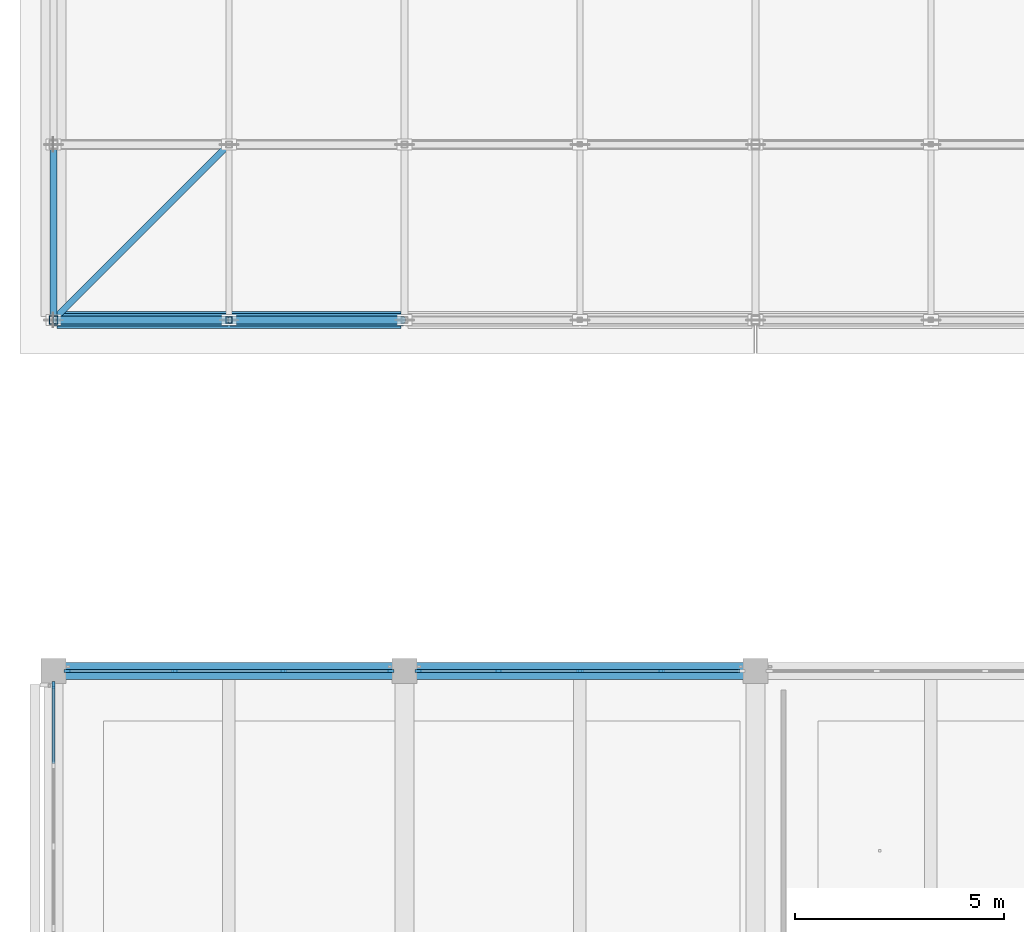
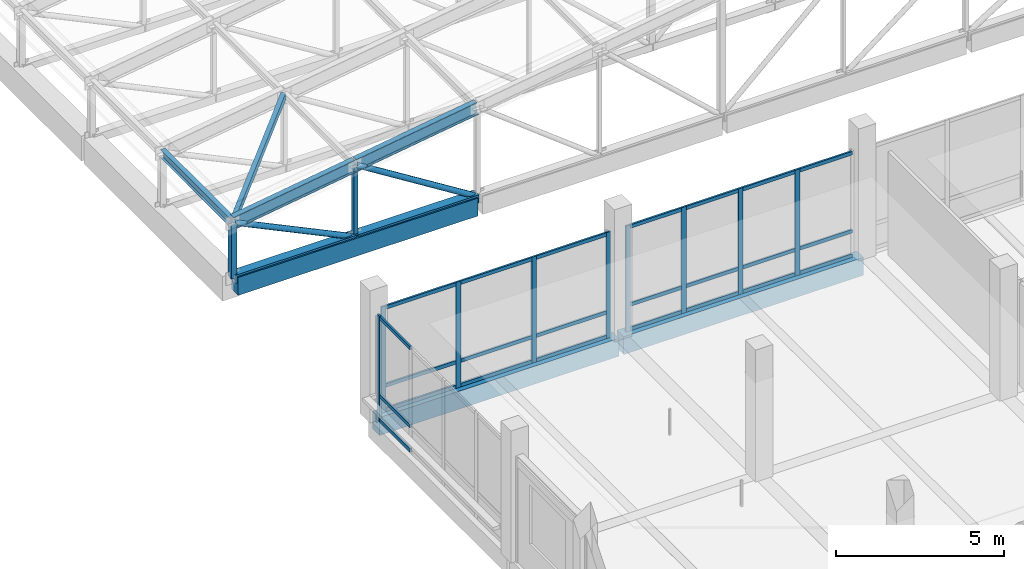
# One storey, part 23 of 122: 43 members, 3 beams, 3 elements without a shape of their own.
"""IFC4 building model written with IfcOpenShell, lengths in metres."""

from ifc_helpers import new_model, si_unit, direction, frame, origin, origin_2d, place, context, subcontext, project, spatial, rectangle, hollow_rectangle, hollow_circle, i_section, extrude, material, layer, layer_set, material_profile, profile_set, type_object, element, aggregate, save


model = new_model("IFC4")

# Units and contexts
model_context = context("Model", 3, precision=1e-05, world=origin(), true_north=direction((0.0, 1.0)))
body_context = subcontext(model_context, "Body", "Model", "MODEL_VIEW")
ifc_project = project(units=[si_unit("LENGTHUNIT", "METRE"), si_unit("AREAUNIT", "SQUARE_METRE"), si_unit("VOLUMEUNIT", "CUBIC_METRE"), si_unit("PLANEANGLEUNIT", "RADIAN"), si_unit("MASSUNIT", "GRAM", prefix="KILO")], contexts=[model_context])

# Site, building, storey
site_placement = place(None, origin())
site = spatial("IfcSite", under=ifc_project, at=site_placement, CompositionType="ELEMENT")
building_placement = place(site_placement, origin())
building = spatial("IfcBuilding", under=site, at=building_placement, Name="Telukmera Botanical Conservatory", CompositionType="ELEMENT")
storey_placement = place(building_placement, frame((0.0, 0.0, 10.199951171875)))
storey = spatial("IfcBuildingStorey", under=building, at=storey_placement, Name="L02", CompositionType="ELEMENT", Elevation=10.199951171875)

# Beams
ifc_material_1 = material(Name="Concrete C40/50", Category="concrete")
ifc_material_profile_1 = material_profile(ifc_material_1, rectangle(XDim=0.39990234375, YDim=0.64990234375, at=origin_2d()), Name="RC 400x650")
ifc_profile_set_1 = profile_set([ifc_material_profile_1], Name="Concrete C40/50")
beam_type = type_object("IfcBeamType", Name="Beam_B8", PredefinedType="BEAM", material=ifc_profile_set_1)
beam_1_placement = place(storey_placement, frame((8.47998046875, 74.800048828125, -0.324951171875), z_axis=(1.0, 0.0, 0.0), x_axis=(0.0, 1.0, 0.0)))
element("IfcBeam", 1, at=beam_1_placement, inside=storey, type_object=beam_type, Name="Visitor Wing Grid Beam L02", PredefinedType="BEAM", context=body_context, shape_type="SweptSolid", body=[
    extrude(rectangle(XDim=0.39990234375, YDim=0.64990234375, at=origin_2d()), origin(), (0.0, 0.0, 1.0), 8.239990234375),
])
beam_2_placement = place(storey_placement, frame((16.8798828125, 74.800048828125, -0.324951171875), z_axis=(1.0, 0.0, 0.0), x_axis=(0.0, 1.0, 0.0)))
element("IfcBeam", 2, at=beam_2_placement, inside=storey, type_object=beam_type, Name="Visitor Wing Grid Beam L02", PredefinedType="BEAM", context=body_context, shape_type="SweptSolid", body=[
    extrude(rectangle(XDim=0.39990234375, YDim=0.64990234375, at=origin_2d()), origin(), (0.0, 0.0, 1.0), 8.240234375),
])
beam_3_placement = place(storey_placement, frame((8.47998046875, 83.199951171875, -0.324951171875), z_axis=(1.0, 0.0, 0.0), x_axis=(0.0, 1.0, 0.0)))
element("IfcBeam", 3, at=beam_3_placement, inside=storey, type_object=beam_type, Name="Auditorium Frame Beam beam:V2:L02:port_x:832:84", PredefinedType="BEAM", context=body_context, shape_type="SweptSolid", body=[
    extrude(rectangle(XDim=0.39990234375, YDim=0.64990234375, at=origin_2d()), origin(), (0.0, 0.0, 1.0), 8.239990234375),
])

# Curtain wall, members
ifc_material_2 = material(Name="Anodised aluminium 6063-T6", Category="aluminium")
ifc_layer_1 = layer(ifc_material_2, 0.179931640625)
ifc_layer_set_1 = layer_set([ifc_layer_1], Name="Anodised aluminium 6063-T6")
curtain_wall_type_1 = type_object("IfcCurtainWallType", Name="Visitor Gallery Second Floor Curtain Wall 2400 Mod", PredefinedType="USERDEFINED", material=ifc_layer_set_1)
curtain_wall_1_placement = place(storey_placement, origin())
curtain_wall_1 = element("IfcCurtainWall", 4, at=curtain_wall_1_placement, inside=storey, type_object=curtain_wall_type_1, Name="Unitised Curtain Wall CW09 V3:L02:N1", ObjectType="UNITISED CURTAIN WALL", PredefinedType="USERDEFINED")
ifc_material_profile_2 = material_profile(ifc_material_2, rectangle(XDim=0.06494140625, YDim=0.159912109375, at=origin_2d()), Name="ALU MULL 65x160")
ifc_profile_set_2 = profile_set([ifc_material_profile_2], Name="Anodised aluminium 6063-T6")
member_type_1 = type_object("IfcMemberType", Name="Curtain Wall Extruded Mullion 65x160", PredefinedType="MULLION", material=ifc_profile_set_2)
member_1_placement = place(storey_placement, frame((8.734619140625, 74.800048828125, 0.0), z_axis=(0.0, 0.0, 1.0), x_axis=(0.0, 1.0, 0.0)))
member_1 = element("IfcMember", 5, at=member_1_placement, type_object=member_type_1, Name="CW09 mullion 1", PredefinedType="MULLION", context=body_context, shape_type="SweptSolid", body=[
    extrude(rectangle(XDim=0.06494140625, YDim=0.159912109375, at=origin_2d()), origin(), (0.0, 0.0, 1.0), 3.85009765625),
])
member_2_placement = place(storey_placement, frame((11.30078125, 74.800048828125, 0.0), z_axis=(0.0, 0.0, 1.0), x_axis=(0.0, 1.0, 0.0)))
member_2 = element("IfcMember", 6, at=member_2_placement, type_object=member_type_1, Name="CW09 mullion 2", PredefinedType="MULLION", context=body_context, shape_type="SweptSolid", body=[
    extrude(rectangle(XDim=0.06494140625, YDim=0.159912109375, at=origin_2d()), origin(), (0.0, 0.0, 1.0), 3.85009765625),
])
member_3_placement = place(storey_placement, frame((13.8994140625, 74.800048828125, 0.0), z_axis=(0.0, 0.0, 1.0), x_axis=(0.0, 1.0, 0.0)))
member_3 = element("IfcMember", 7, at=member_3_placement, type_object=member_type_1, Name="CW09 mullion 3", PredefinedType="MULLION", context=body_context, shape_type="SweptSolid", body=[
    extrude(rectangle(XDim=0.06494140625, YDim=0.159912109375, at=origin_2d()), origin(), (0.0, 0.0, 1.0), 3.85009765625),
])
member_4_placement = place(storey_placement, frame((16.465576171875, 74.800048828125, 0.0), z_axis=(0.0, 0.0, 1.0), x_axis=(0.0, 1.0, 0.0)))
member_4 = element("IfcMember", 8, at=member_4_placement, type_object=member_type_1, Name="CW09 mullion 4", PredefinedType="MULLION", context=body_context, shape_type="SweptSolid", body=[
    extrude(rectangle(XDim=0.06494140625, YDim=0.159912109375, at=origin_2d()), origin(), (0.0, 0.0, 1.0), 3.85009765625),
])

ifc_layer_2 = layer(ifc_material_2, 0.179931640625)
ifc_layer_set_2 = layer_set([ifc_layer_2], Name="Anodised aluminium 6063-T6")
curtain_wall_type_2 = type_object("IfcCurtainWallType", Name="Visitor Gallery First Floor Curtain Wall 1800 Mod", PredefinedType="USERDEFINED", material=ifc_layer_set_2)
curtain_wall_2_placement = place(storey_placement, origin())
curtain_wall_2 = element("IfcCurtainWall", 9, at=curtain_wall_2_placement, inside=storey, type_object=curtain_wall_type_2, Name="Unitised Curtain Wall CW08 V3:L02:N2", ObjectType="UNITISED CURTAIN WALL", PredefinedType="USERDEFINED")
member_5_placement = place(storey_placement, frame((17.134521484375, 74.800048828125, 0.0), z_axis=(0.0, 0.0, 1.0), x_axis=(0.0, 1.0, 0.0)))
member_5 = element("IfcMember", 10, at=member_5_placement, type_object=member_type_1, Name="CW08 mullion 1", PredefinedType="MULLION", context=body_context, shape_type="SweptSolid", body=[
    extrude(rectangle(XDim=0.06494140625, YDim=0.159912109375, at=origin_2d()), origin(), (0.0, 0.0, 1.0), 3.85009765625),
])
member_6_placement = place(storey_placement, frame((19.051025390625, 74.800048828125, 0.0), z_axis=(0.0, 0.0, 1.0), x_axis=(0.0, 1.0, 0.0)))
member_6 = element("IfcMember", 11, at=member_6_placement, type_object=member_type_1, Name="CW08 mullion 2", PredefinedType="MULLION", context=body_context, shape_type="SweptSolid", body=[
    extrude(rectangle(XDim=0.06494140625, YDim=0.159912109375, at=origin_2d()), origin(), (0.0, 0.0, 1.0), 3.85009765625),
])
member_7_placement = place(storey_placement, frame((21.0, 74.800048828125, 0.0), z_axis=(0.0, 0.0, 1.0), x_axis=(0.0, 1.0, 0.0)))
member_7 = element("IfcMember", 12, at=member_7_placement, type_object=member_type_1, Name="CW08 mullion 3", PredefinedType="MULLION", context=body_context, shape_type="SweptSolid", body=[
    extrude(rectangle(XDim=0.06494140625, YDim=0.159912109375, at=origin_2d()), origin(), (0.0, 0.0, 1.0), 3.85009765625),
])
member_8_placement = place(storey_placement, frame((22.948974609375, 74.800048828125, 0.0), z_axis=(0.0, 0.0, 1.0), x_axis=(0.0, 1.0, 0.0)))
member_8 = element("IfcMember", 13, at=member_8_placement, type_object=member_type_1, Name="CW08 mullion 4", PredefinedType="MULLION", context=body_context, shape_type="SweptSolid", body=[
    extrude(rectangle(XDim=0.06494140625, YDim=0.159912109375, at=origin_2d()), origin(), (0.0, 0.0, 1.0), 3.85009765625),
])

# Curtain wall, member
curtain_wall_3_placement = place(storey_placement, origin())
curtain_wall_3 = element("IfcCurtainWall", 14, at=curtain_wall_3_placement, inside=storey, type_object=curtain_wall_type_2, Name="Unitised Curtain Wall CW08 V3:L02:W7", ObjectType="UNITISED CURTAIN WALL", PredefinedType="USERDEFINED")
member_9_placement = place(storey_placement, frame((8.39990234375, 74.465576171875, 0.0), z_axis=(0.0, 0.0, 1.0), x_axis=(-1.0, 0.0, 0.0)))
member_9 = element("IfcMember", 15, at=member_9_placement, type_object=member_type_1, Name="CW08 mullion 5", PredefinedType="MULLION", context=body_context, shape_type="SweptSolid", body=[
    extrude(rectangle(XDim=0.06494140625, YDim=0.159912109375, at=origin_2d()), origin(), (0.0, 0.0, 1.0), 3.85009765625),
])

# Member
ifc_material_profile_3 = material_profile(ifc_material_2, rectangle(XDim=0.06494140625, YDim=0.1298828125, at=origin_2d()), Name="ALU TRAN 65x130")
ifc_profile_set_3 = profile_set([ifc_material_profile_3], Name="Anodised aluminium 6063-T6")
member_type_2 = type_object("IfcMemberType", Name="Curtain Wall Extruded Transom 65x130", PredefinedType="USERDEFINED", material=ifc_profile_set_3)
member_10_placement = place(storey_placement, frame((8.76708984375, 74.800048828125, 0.06494140625), z_axis=(1.0, 0.0, 0.0), x_axis=(0.0, 1.0, 0.0)))
member_10 = element("IfcMember", 16, at=member_10_placement, type_object=member_type_2, Name="CW09 transom 1.1", ObjectType="TRANSOM", PredefinedType="USERDEFINED", context=body_context, shape_type="SweptSolid", body=[
    extrude(rectangle(XDim=0.06494140625, YDim=0.1298828125, at=origin_2d()), origin(), (0.0, 0.0, 1.0), 2.5009765625),
])

member_11_placement = place(storey_placement, frame((8.76708984375, 74.800048828125, 0.949951171875), z_axis=(1.0, 0.0, 0.0), x_axis=(0.0, 1.0, 0.0)))
member_11 = element("IfcMember", 17, at=member_11_placement, type_object=member_type_2, Name="CW09 transom 1.2", ObjectType="TRANSOM", PredefinedType="USERDEFINED", context=body_context, shape_type="SweptSolid", body=[
    extrude(rectangle(XDim=0.06494140625, YDim=0.1298828125, at=origin_2d()), origin(), (0.0, 0.0, 1.0), 2.5009765625),
])

member_12_placement = place(storey_placement, frame((8.76708984375, 74.800048828125, 3.78515625), z_axis=(1.0, 0.0, 0.0), x_axis=(0.0, 1.0, 0.0)))
member_12 = element("IfcMember", 18, at=member_12_placement, type_object=member_type_2, Name="CW09 transom 1.3", ObjectType="TRANSOM", PredefinedType="USERDEFINED", context=body_context, shape_type="SweptSolid", body=[
    extrude(rectangle(XDim=0.06494140625, YDim=0.1298828125, at=origin_2d()), origin(), (0.0, 0.0, 1.0), 2.5009765625),
])

member_13_placement = place(storey_placement, frame((11.333251953125, 74.800048828125, 0.06494140625), z_axis=(1.0, 0.0, 0.0), x_axis=(0.0, 1.0, 0.0)))
member_13 = element("IfcMember", 19, at=member_13_placement, type_object=member_type_2, Name="CW09 transom 2.1", ObjectType="TRANSOM", PredefinedType="USERDEFINED", context=body_context, shape_type="SweptSolid", body=[
    extrude(rectangle(XDim=0.06494140625, YDim=0.1298828125, at=origin_2d()), origin(), (0.0, 0.0, 1.0), 2.53369140625),
])

member_14_placement = place(storey_placement, frame((11.333251953125, 74.800048828125, 0.949951171875), z_axis=(1.0, 0.0, 0.0), x_axis=(0.0, 1.0, 0.0)))
member_14 = element("IfcMember", 20, at=member_14_placement, type_object=member_type_2, Name="CW09 transom 2.2", ObjectType="TRANSOM", PredefinedType="USERDEFINED", context=body_context, shape_type="SweptSolid", body=[
    extrude(rectangle(XDim=0.06494140625, YDim=0.1298828125, at=origin_2d()), origin(), (0.0, 0.0, 1.0), 2.53369140625),
])

member_15_placement = place(storey_placement, frame((11.333251953125, 74.800048828125, 3.78515625), z_axis=(1.0, 0.0, 0.0), x_axis=(0.0, 1.0, 0.0)))
member_15 = element("IfcMember", 21, at=member_15_placement, type_object=member_type_2, Name="CW09 transom 2.3", ObjectType="TRANSOM", PredefinedType="USERDEFINED", context=body_context, shape_type="SweptSolid", body=[
    extrude(rectangle(XDim=0.06494140625, YDim=0.1298828125, at=origin_2d()), origin(), (0.0, 0.0, 1.0), 2.53369140625),
])

member_16_placement = place(storey_placement, frame((13.931884765625, 74.800048828125, 0.06494140625), z_axis=(1.0, 0.0, 0.0), x_axis=(0.0, 1.0, 0.0)))
member_16 = element("IfcMember", 22, at=member_16_placement, type_object=member_type_2, Name="CW09 transom 3.1", ObjectType="TRANSOM", PredefinedType="USERDEFINED", context=body_context, shape_type="SweptSolid", body=[
    extrude(rectangle(XDim=0.06494140625, YDim=0.1298828125, at=origin_2d()), origin(), (0.0, 0.0, 1.0), 2.501220703125),
])

member_17_placement = place(storey_placement, frame((13.931884765625, 74.800048828125, 0.949951171875), z_axis=(1.0, 0.0, 0.0), x_axis=(0.0, 1.0, 0.0)))
member_17 = element("IfcMember", 23, at=member_17_placement, type_object=member_type_2, Name="CW09 transom 3.2", ObjectType="TRANSOM", PredefinedType="USERDEFINED", context=body_context, shape_type="SweptSolid", body=[
    extrude(rectangle(XDim=0.06494140625, YDim=0.1298828125, at=origin_2d()), origin(), (0.0, 0.0, 1.0), 2.501220703125),
])

member_18_placement = place(storey_placement, frame((13.931884765625, 74.800048828125, 3.78515625), z_axis=(1.0, 0.0, 0.0), x_axis=(0.0, 1.0, 0.0)))
member_18 = element("IfcMember", 24, at=member_18_placement, type_object=member_type_2, Name="CW09 transom 3.3", ObjectType="TRANSOM", PredefinedType="USERDEFINED", context=body_context, shape_type="SweptSolid", body=[
    extrude(rectangle(XDim=0.06494140625, YDim=0.1298828125, at=origin_2d()), origin(), (0.0, 0.0, 1.0), 2.501220703125),
])

aggregate(curtain_wall_1, [member_1, member_2, member_3, member_4, member_10, member_11, member_12, member_13, member_14, member_15, member_16, member_17, member_18])

member_19_placement = place(storey_placement, frame((17.1669921875, 74.800048828125, 0.06494140625), z_axis=(1.0, 0.0, 0.0), x_axis=(0.0, 1.0, 0.0)))
member_19 = element("IfcMember", 25, at=member_19_placement, type_object=member_type_2, Name="CW08 transom 1.1", ObjectType="TRANSOM", PredefinedType="USERDEFINED", context=body_context, shape_type="SweptSolid", body=[
    extrude(rectangle(XDim=0.06494140625, YDim=0.1298828125, at=origin_2d()), origin(), (0.0, 0.0, 1.0), 1.8515625),
])

member_20_placement = place(storey_placement, frame((17.1669921875, 74.800048828125, 0.949951171875), z_axis=(1.0, 0.0, 0.0), x_axis=(0.0, 1.0, 0.0)))
member_20 = element("IfcMember", 26, at=member_20_placement, type_object=member_type_2, Name="CW08 transom 1.2", ObjectType="TRANSOM", PredefinedType="USERDEFINED", context=body_context, shape_type="SweptSolid", body=[
    extrude(rectangle(XDim=0.06494140625, YDim=0.1298828125, at=origin_2d()), origin(), (0.0, 0.0, 1.0), 1.8515625),
])

member_21_placement = place(storey_placement, frame((17.1669921875, 74.800048828125, 3.78515625), z_axis=(1.0, 0.0, 0.0), x_axis=(0.0, 1.0, 0.0)))
member_21 = element("IfcMember", 27, at=member_21_placement, type_object=member_type_2, Name="CW08 transom 1.3", ObjectType="TRANSOM", PredefinedType="USERDEFINED", context=body_context, shape_type="SweptSolid", body=[
    extrude(rectangle(XDim=0.06494140625, YDim=0.1298828125, at=origin_2d()), origin(), (0.0, 0.0, 1.0), 1.8515625),
])

member_22_placement = place(storey_placement, frame((19.08349609375, 74.800048828125, 0.06494140625), z_axis=(1.0, 0.0, 0.0), x_axis=(0.0, 1.0, 0.0)))
member_22 = element("IfcMember", 28, at=member_22_placement, type_object=member_type_2, Name="CW08 transom 2.1", ObjectType="TRANSOM", PredefinedType="USERDEFINED", context=body_context, shape_type="SweptSolid", body=[
    extrude(rectangle(XDim=0.06494140625, YDim=0.1298828125, at=origin_2d()), origin(), (0.0, 0.0, 1.0), 1.884033203125),
])

member_23_placement = place(storey_placement, frame((19.08349609375, 74.800048828125, 0.949951171875), z_axis=(1.0, 0.0, 0.0), x_axis=(0.0, 1.0, 0.0)))
member_23 = element("IfcMember", 29, at=member_23_placement, type_object=member_type_2, Name="CW08 transom 2.2", ObjectType="TRANSOM", PredefinedType="USERDEFINED", context=body_context, shape_type="SweptSolid", body=[
    extrude(rectangle(XDim=0.06494140625, YDim=0.1298828125, at=origin_2d()), origin(), (0.0, 0.0, 1.0), 1.884033203125),
])

member_24_placement = place(storey_placement, frame((19.08349609375, 74.800048828125, 3.78515625), z_axis=(1.0, 0.0, 0.0), x_axis=(0.0, 1.0, 0.0)))
member_24 = element("IfcMember", 30, at=member_24_placement, type_object=member_type_2, Name="CW08 transom 2.3", ObjectType="TRANSOM", PredefinedType="USERDEFINED", context=body_context, shape_type="SweptSolid", body=[
    extrude(rectangle(XDim=0.06494140625, YDim=0.1298828125, at=origin_2d()), origin(), (0.0, 0.0, 1.0), 1.884033203125),
])

member_25_placement = place(storey_placement, frame((21.032470703125, 74.800048828125, 0.06494140625), z_axis=(1.0, 0.0, 0.0), x_axis=(0.0, 1.0, 0.0)))
member_25 = element("IfcMember", 31, at=member_25_placement, type_object=member_type_2, Name="CW08 transom 3.1", ObjectType="TRANSOM", PredefinedType="USERDEFINED", context=body_context, shape_type="SweptSolid", body=[
    extrude(rectangle(XDim=0.06494140625, YDim=0.1298828125, at=origin_2d()), origin(), (0.0, 0.0, 1.0), 1.884033203125),
])

member_26_placement = place(storey_placement, frame((21.032470703125, 74.800048828125, 0.949951171875), z_axis=(1.0, 0.0, 0.0), x_axis=(0.0, 1.0, 0.0)))
member_26 = element("IfcMember", 32, at=member_26_placement, type_object=member_type_2, Name="CW08 transom 3.2", ObjectType="TRANSOM", PredefinedType="USERDEFINED", context=body_context, shape_type="SweptSolid", body=[
    extrude(rectangle(XDim=0.06494140625, YDim=0.1298828125, at=origin_2d()), origin(), (0.0, 0.0, 1.0), 1.884033203125),
])

member_27_placement = place(storey_placement, frame((21.032470703125, 74.800048828125, 3.78515625), z_axis=(1.0, 0.0, 0.0), x_axis=(0.0, 1.0, 0.0)))
member_27 = element("IfcMember", 33, at=member_27_placement, type_object=member_type_2, Name="CW08 transom 3.3", ObjectType="TRANSOM", PredefinedType="USERDEFINED", context=body_context, shape_type="SweptSolid", body=[
    extrude(rectangle(XDim=0.06494140625, YDim=0.1298828125, at=origin_2d()), origin(), (0.0, 0.0, 1.0), 1.884033203125),
])

member_28_placement = place(storey_placement, frame((22.9814453125, 74.800048828125, 0.06494140625), z_axis=(1.0, 0.0, 0.0), x_axis=(0.0, 1.0, 0.0)))
member_28 = element("IfcMember", 34, at=member_28_placement, type_object=member_type_2, Name="CW08 transom 4.1", ObjectType="TRANSOM", PredefinedType="USERDEFINED", context=body_context, shape_type="SweptSolid", body=[
    extrude(rectangle(XDim=0.06494140625, YDim=0.1298828125, at=origin_2d()), origin(), (0.0, 0.0, 1.0), 1.8515625),
])

member_29_placement = place(storey_placement, frame((22.9814453125, 74.800048828125, 0.949951171875), z_axis=(1.0, 0.0, 0.0), x_axis=(0.0, 1.0, 0.0)))
member_29 = element("IfcMember", 35, at=member_29_placement, type_object=member_type_2, Name="CW08 transom 4.2", ObjectType="TRANSOM", PredefinedType="USERDEFINED", context=body_context, shape_type="SweptSolid", body=[
    extrude(rectangle(XDim=0.06494140625, YDim=0.1298828125, at=origin_2d()), origin(), (0.0, 0.0, 1.0), 1.8515625),
])

member_30_placement = place(storey_placement, frame((22.9814453125, 74.800048828125, 3.78515625), z_axis=(1.0, 0.0, 0.0), x_axis=(0.0, 1.0, 0.0)))
member_30 = element("IfcMember", 36, at=member_30_placement, type_object=member_type_2, Name="CW08 transom 4.3", ObjectType="TRANSOM", PredefinedType="USERDEFINED", context=body_context, shape_type="SweptSolid", body=[
    extrude(rectangle(XDim=0.06494140625, YDim=0.1298828125, at=origin_2d()), origin(), (0.0, 0.0, 1.0), 1.8515625),
])

aggregate(curtain_wall_2, [member_5, member_6, member_7, member_8, member_19, member_20, member_21, member_22, member_23, member_24, member_25, member_26, member_27, member_28, member_29, member_30])

member_31_placement = place(storey_placement, frame((8.39990234375, 72.58154296875, 0.06494140625), z_axis=(0.0, 1.0, 0.0), x_axis=(-1.0, 0.0, 0.0)))
member_31 = element("IfcMember", 37, at=member_31_placement, type_object=member_type_2, Name="CW08 transom 4.1", ObjectType="TRANSOM", PredefinedType="USERDEFINED", context=body_context, shape_type="SweptSolid", body=[
    extrude(rectangle(XDim=0.06494140625, YDim=0.1298828125, at=origin_2d()), origin(), (0.0, 0.0, 1.0), 1.8515625),
])

member_32_placement = place(storey_placement, frame((8.39990234375, 72.58154296875, 0.949951171875), z_axis=(0.0, 1.0, 0.0), x_axis=(-1.0, 0.0, 0.0)))
member_32 = element("IfcMember", 38, at=member_32_placement, type_object=member_type_2, Name="CW08 transom 4.2", ObjectType="TRANSOM", PredefinedType="USERDEFINED", context=body_context, shape_type="SweptSolid", body=[
    extrude(rectangle(XDim=0.06494140625, YDim=0.1298828125, at=origin_2d()), origin(), (0.0, 0.0, 1.0), 1.8515625),
])

member_33_placement = place(storey_placement, frame((8.39990234375, 72.58154296875, 3.78515625), z_axis=(0.0, 1.0, 0.0), x_axis=(-1.0, 0.0, 0.0)))
member_33 = element("IfcMember", 39, at=member_33_placement, type_object=member_type_2, Name="CW08 transom 4.3", ObjectType="TRANSOM", PredefinedType="USERDEFINED", context=body_context, shape_type="SweptSolid", body=[
    extrude(rectangle(XDim=0.06494140625, YDim=0.1298828125, at=origin_2d()), origin(), (0.0, 0.0, 1.0), 1.8515625),
])

aggregate(curtain_wall_3, [member_9, member_31, member_32, member_33])

# Members
ifc_material_3 = material(Name="Steel S355", Category="steel")
ifc_material_profile_4 = material_profile(ifc_material_3, hollow_rectangle(XDim=0.300048828125, YDim=0.300048828125, WallThickness=0.012451171875, at=origin_2d()), Name="SHS 300x300x12.5")
ifc_profile_set_4 = profile_set([ifc_material_profile_4], Name="Steel S355")
member_type_3 = type_object("IfcMemberType", Name="Mem_TC3", PredefinedType="CHORD", material=ifc_profile_set_4)
member_34_placement = place(storey_placement, frame((8.39990234375, 83.199951171875, -0.079833984375), z_axis=(1.0, 0.0, 0.0), x_axis=(0.0, 1.0, 0.0)))
element("IfcMember", 40, at=member_34_placement, inside=storey, type_object=member_type_3, Name="Auditorium Pratt Truss Bottom Chord T1-1", PredefinedType="CHORD", context=body_context, shape_type="SweptSolid", body=[
    extrude(hollow_rectangle(XDim=0.300048828125, YDim=0.300048828125, WallThickness=0.012451171875, at=origin_2d()), origin(), (0.0, 0.0, 1.0), 4.18017578125),
])
member_35_placement = place(storey_placement, frame((12.6201171875, 83.199951171875, -0.079833984375), z_axis=(1.0, 0.0, 0.0), x_axis=(0.0, 1.0, 0.0)))
element("IfcMember", 41, at=member_35_placement, inside=storey, type_object=member_type_3, Name="Auditorium Pratt Truss Bottom Chord T1-2", PredefinedType="CHORD", context=body_context, shape_type="SweptSolid", body=[
    extrude(hollow_rectangle(XDim=0.300048828125, YDim=0.300048828125, WallThickness=0.012451171875, at=origin_2d()), origin(), (0.0, 0.0, 1.0), 4.159912109375),
])
ifc_material_profile_5 = material_profile(ifc_material_3, i_section(OverallWidth=0.19140625, OverallDepth=0.4599609375, WebThickness=0.010009765625, FlangeThickness=0.01611328125, FilletRadius=0.01025390625, at=origin_2d()), Name="UB 457x191x82")
ifc_profile_set_5 = profile_set([ifc_material_profile_5], Name="Steel S355")
member_type_4 = type_object("IfcMemberType", Name="Mem_TC4", PredefinedType="CHORD", material=ifc_profile_set_5)
member_36_placement = place(storey_placement, frame((8.419921875, 83.199951171875, 1.923095703125), z_axis=(0.989021335912, 0.0, 0.147772788805), x_axis=(0.0, 1.0, 0.0)))
element("IfcMember", 42, at=member_36_placement, inside=storey, type_object=member_type_4, Name="Auditorium Pratt Truss Top Chord T1-1", PredefinedType="CHORD", context=body_context, shape_type="SweptSolid", body=[
    extrude(i_section(OverallWidth=0.19140625, OverallDepth=0.4599609375, WebThickness=0.010009765625, FlangeThickness=0.01611328125, FilletRadius=0.01025390625, at=origin_2d()), origin(), (0.0, 0.0, 1.0), 4.206298828125),
])
member_37_placement = place(storey_placement, frame((12.619873046875, 83.199951171875, 2.55078125), z_axis=(0.989022603236, 0.0, 0.147764306545), x_axis=(0.0, 1.0, 0.0)))
element("IfcMember", 43, at=member_37_placement, inside=storey, type_object=member_type_4, Name="Auditorium Pratt Truss Top Chord T1-2", PredefinedType="CHORD", context=body_context, shape_type="SweptSolid", body=[
    extrude(i_section(OverallWidth=0.19140625, OverallDepth=0.4599609375, WebThickness=0.010009765625, FlangeThickness=0.01611328125, FilletRadius=0.01025390625, at=origin_2d()), origin(), (0.0, 0.0, 1.0), 4.20654296875),
])
ifc_material_profile_6 = material_profile(ifc_material_3, hollow_circle(Radius=0.096923828125, WallThickness=0.008056640625, at=origin_2d()), Name="CHS 193.7x8.0")
ifc_profile_set_6 = profile_set([ifc_material_profile_6], Name="Steel S355")
member_type_5 = type_object("IfcMemberType", Name="Mem_TD1", PredefinedType="BRACE", material=ifc_profile_set_6)
member_38_placement = place(storey_placement, frame((8.427001953125, 83.199951171875, 1.9072265625), z_axis=(0.902853639645, 0.0, -0.42994802637), x_axis=(0.0, 1.0, 0.0)))
element("IfcMember", 44, at=member_38_placement, inside=storey, type_object=member_type_5, Name="Auditorium Pratt Truss Web Diagonal T1-D1", PredefinedType="BRACE", context=body_context, shape_type="SweptSolid", body=[
    extrude(hollow_circle(Radius=0.096923828125, WallThickness=0.008056640625, at=origin_2d()), origin(), (0.0, 0.0, 1.0), 4.592041015625),
])
member_39_placement = place(storey_placement, frame((12.62548828125, 83.199951171875, 2.53173828125), z_axis=(0.84777122797, 0.0, -0.530362088601), x_axis=(0.0, 1.0, 0.0)))
element("IfcMember", 45, at=member_39_placement, inside=storey, type_object=member_type_5, Name="Auditorium Pratt Truss Web Diagonal T1-D2", PredefinedType="BRACE", context=body_context, shape_type="SweptSolid", body=[
    extrude(hollow_circle(Radius=0.096923828125, WallThickness=0.008056640625, at=origin_2d()), origin(), (0.0, 0.0, 1.0), 4.894287109375),
])
ifc_material_profile_7 = material_profile(ifc_material_3, hollow_rectangle(XDim=0.14990234375, YDim=0.25, WallThickness=0.008056640625, at=origin_2d()), Name="RHS 250x150x8.0")
ifc_profile_set_7 = profile_set([ifc_material_profile_7], Name="Steel S355")
member_type_6 = type_object("IfcMemberType", Name="Mem_TD4", PredefinedType="BRACE", material=ifc_profile_set_7)
member_40_placement = place(storey_placement, frame((8.449951171875, 83.25, 1.920166015625), z_axis=(0.702999784908, 0.702999784908, 0.107622510837), x_axis=(-0.707106781187, 0.707106781187, 0.0)))
element("IfcMember", 46, at=member_40_placement, inside=storey, type_object=member_type_6, Name="Auditorium Roof Plane Wind Brace RB1-0", PredefinedType="BRACE", context=body_context, shape_type="SweptSolid", body=[
    extrude(hollow_rectangle(XDim=0.14990234375, YDim=0.25, WallThickness=0.008056640625, at=origin_2d()), origin(), (0.0, 0.0, 1.0), 5.832275390625),
])
ifc_material_profile_8 = material_profile(ifc_material_3, i_section(OverallWidth=0.165771484375, OverallDepth=0.306640625, WebThickness=0.006591796875, FlangeThickness=0.01171875, FilletRadius=0.0087890625, at=origin_2d()), Name="UB 305x165x46")
ifc_profile_set_8 = profile_set([ifc_material_profile_8], Name="Steel S355")
member_type_7 = type_object("IfcMemberType", Name="Mem_TPB1", PredefinedType="PURLIN", material=ifc_profile_set_8)
member_41_placement = place(storey_placement, frame((8.39990234375, 83.260009765625, 1.920166015625), z_axis=(0.0, 1.0, 0.0), x_axis=(-1.0, 0.0, 0.0)))
element("IfcMember", 47, at=member_41_placement, inside=storey, type_object=member_type_7, Name="Auditorium Roof Steel Purlin P1-0", PredefinedType="PURLIN", context=body_context, shape_type="SweptSolid", body=[
    extrude(i_section(OverallWidth=0.165771484375, OverallDepth=0.306640625, WebThickness=0.006591796875, FlangeThickness=0.01171875, FilletRadius=0.0087890625, at=origin_2d()), origin(), (0.0, 0.0, 1.0), 4.080078125),
])
ifc_material_profile_9 = material_profile(ifc_material_3, hollow_rectangle(XDim=0.199951171875, YDim=0.199951171875, WallThickness=0.010009765625, at=origin_2d()), Name="SHS 200x200x10.0")
ifc_profile_set_9 = profile_set([ifc_material_profile_9], Name="Steel S355")
member_type_8 = type_object("IfcMemberType", Name="Mem_TV1", PredefinedType="POST", material=ifc_profile_set_9)
member_42_placement = place(storey_placement, frame((8.39990234375, 83.199951171875, -0.06005859375), z_axis=(0.0, 0.0, 1.0), x_axis=(1.0, 0.0, 0.0)))
element("IfcMember", 48, at=member_42_placement, inside=storey, type_object=member_type_8, Name="Auditorium Pratt Truss Vertical T1-V0", PredefinedType="POST", context=body_context, shape_type="SweptSolid", body=[
    extrude(hollow_rectangle(XDim=0.199951171875, YDim=0.199951171875, WallThickness=0.010009765625, at=origin_2d()), origin(), (0.0, 0.0, 1.0), 1.960205078125),
])
ifc_material_profile_10 = material_profile(ifc_material_3, hollow_rectangle(XDim=0.14990234375, YDim=0.14990234375, WallThickness=0.008056640625, at=origin_2d()), Name="SHS 150x150x8.0")
ifc_profile_set_10 = profile_set([ifc_material_profile_10], Name="Steel S355")
member_type_9 = type_object("IfcMemberType", Name="Mem_TV2", PredefinedType="POST", material=ifc_profile_set_10)
member_43_placement = place(storey_placement, frame((12.60009765625, 83.199951171875, -0.06005859375), z_axis=(0.0, 0.0, 1.0), x_axis=(1.0, 0.0, 0.0)))
element("IfcMember", 49, at=member_43_placement, inside=storey, type_object=member_type_9, Name="Auditorium Pratt Truss Vertical T1-V1", PredefinedType="POST", context=body_context, shape_type="SweptSolid", body=[
    extrude(hollow_rectangle(XDim=0.14990234375, YDim=0.14990234375, WallThickness=0.008056640625, at=origin_2d()), origin(), (0.0, 0.0, 1.0), 2.587890625),
])

save(model, "model.ifc")
